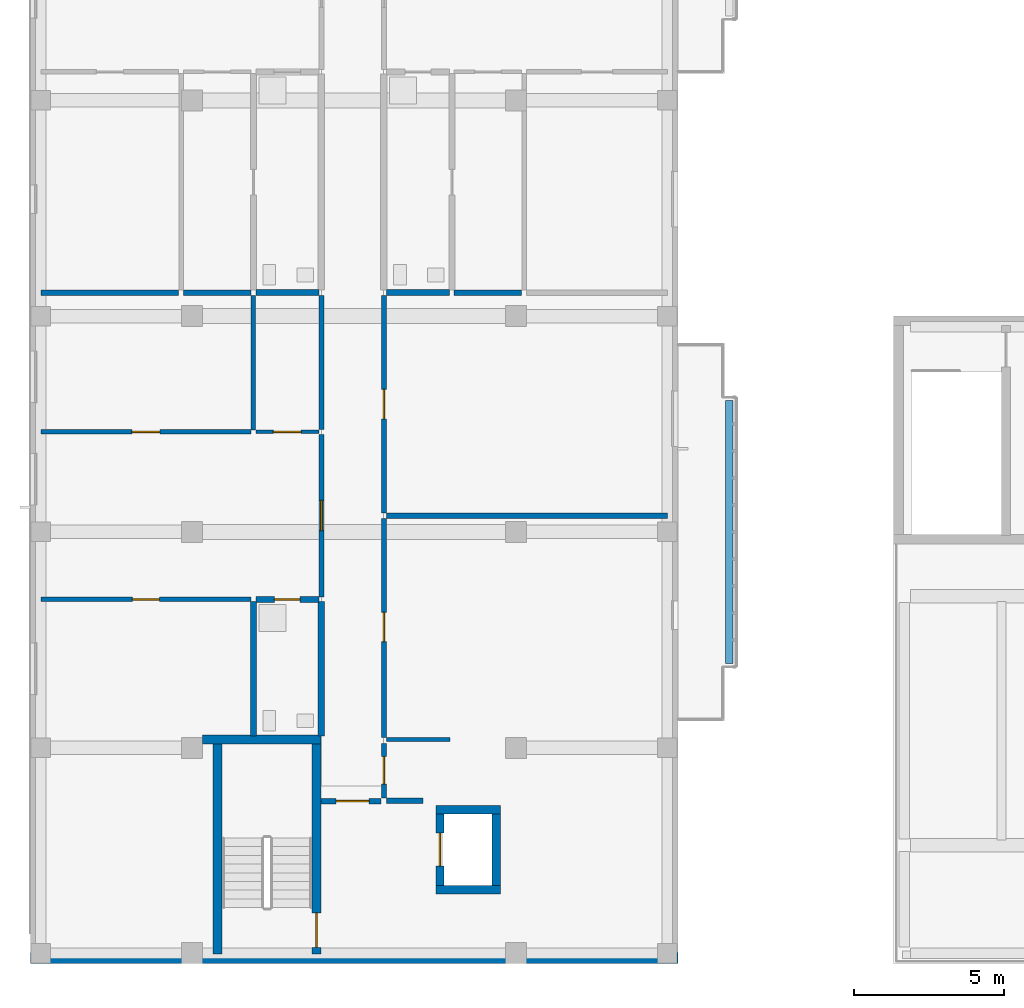
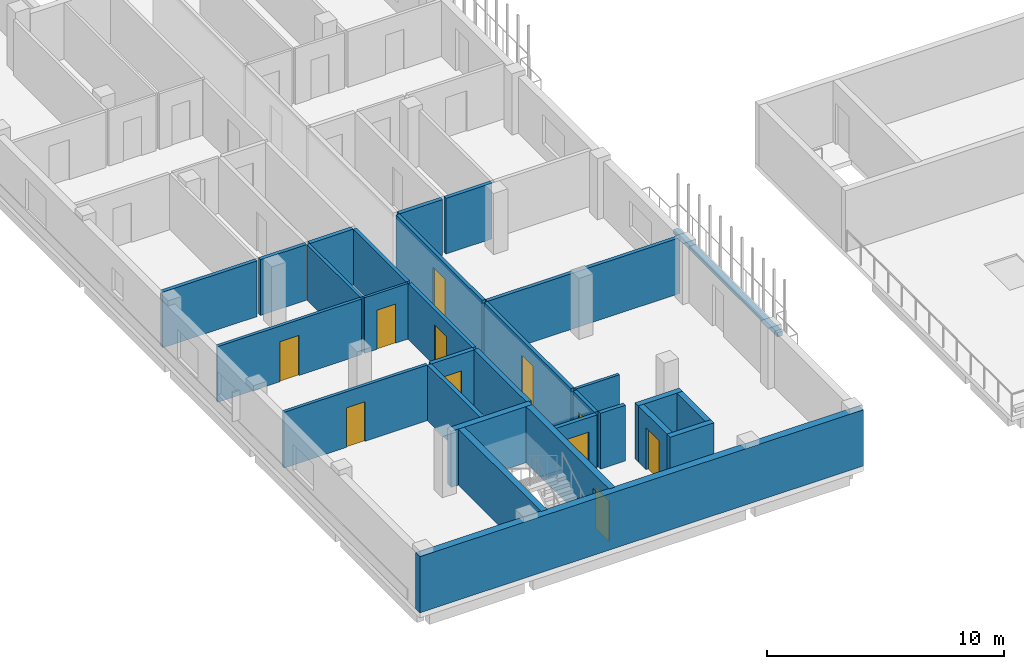
# One storey, part 25 of 56: 30 walls, 11 doors, 11 openings.
"""IFC4 building model written with IfcOpenShell, lengths in metres."""

from ifc_helpers import new_model, si_unit, derived_unit, direction, frame, frame_2d, origin, place, context, subcontext, project, spatial, rectangle, extrude, material, layer, layer_set, type_object, element, fill, save


model = new_model("IFC4")

# Units and contexts
model_context = context("Model", 3, precision=1e-05, world=origin(), true_north=direction((0.0, 1.0)))
body_context = subcontext(model_context, "Body", "Model", "MODEL_VIEW")
ifc_project = project(units=[si_unit("LENGTHUNIT", "METRE"), si_unit("AREAUNIT", "SQUARE_METRE"), si_unit("VOLUMEUNIT", "CUBIC_METRE"), si_unit("PLANEANGLEUNIT", "RADIAN"), si_unit("MASSUNIT", "GRAM", prefix="KILO"), derived_unit("THERMALTRANSMITTANCEUNIT", [(si_unit("MASSUNIT", "GRAM", prefix="KILO"), 1), (si_unit("TIMEUNIT", "SECOND"), -3), (si_unit("THERMODYNAMICTEMPERATUREUNIT", "KELVIN"), -1)])], contexts=[model_context])

# Site, building, storey
site_placement = place(None, origin())
site = spatial("IfcSite", under=ifc_project, at=site_placement, CompositionType="ELEMENT")
building_placement = place(site_placement, origin())
building = spatial("IfcBuilding", under=site, at=building_placement, Name="Ochrekiln Boulevard Commons", CompositionType="ELEMENT")
storey_placement = place(building_placement, frame((0.0, 0.0, 12.074951171875)))
storey = spatial("IfcBuildingStorey", under=building, at=storey_placement, Name="L03", CompositionType="ELEMENT", Elevation=12.074951171875)

# Wall
ifc_material_1 = material(Name="Iron-spot brown clinker brick masonry ASTM C216 Grade SW", Category="masonry")
ifc_layer_1 = layer(ifc_material_1, 0.364990234375)
ifc_layer_set_1 = layer_set([ifc_layer_1], Name="Iron-spot brown clinker brick masonry ASTM C216 Grade SW")
wall_type_1 = type_object("IfcWallType", Name="WL-EXT-IRON-365", PredefinedType="SOLIDWALL", material=ifc_layer_set_1)
wall_1_placement = place(storey_placement, frame((0.0, 0.1826171875, 0.0), z_axis=(0.0, 0.0, 1.0), x_axis=(1.0, 0.0, 0.0)))
element("IfcWall", 1, at=wall_1_placement, inside=storey, type_object=wall_type_1, Name="Block D L03 S Exterior Wall", PredefinedType="SOLIDWALL", context=body_context, shape_type="SweptSolid", body=[
    extrude(rectangle(XDim=21.60009765625, YDim=0.364990234375, at=frame_2d((10.800048828125, 0.0))), origin(), (0.0, 0.0, 1.0), 2.89013671875),
])

# Wall, opening, door
ifc_material_2 = material(Name="Moisture-resistant cementitious tile backer wall")
ifc_layer_2 = layer(ifc_material_2, 0.199951171875)
ifc_layer_set_2 = layer_set([ifc_layer_2], Name="Moisture-resistant cementitious tile backer wall")
wall_type_2 = type_object("IfcWallType", Name="WL-PLM-200", PredefinedType="PLUMBINGWALL", material=ifc_layer_set_2)
wall_2_placement = place(storey_placement, frame((7.52001953125, 12.155029296875, 0.0), z_axis=(0.0, 0.0, 1.0), x_axis=(1.0, 0.0, 0.0)))
wall_2 = element("IfcWall", 2, at=wall_2_placement, inside=storey, type_object=wall_type_2, Name="L03 Interior Wall W-PW200", PredefinedType="PLUMBINGWALL", context=body_context, shape_type="SweptSolid", body=[
    extrude(rectangle(XDim=2.10791015625, YDim=0.199951171875, at=frame_2d((1.053955078125, 0.0))), origin(), (0.0, 0.0, 1.0), 2.8701171875),
])
opening_1_placement = place(wall_2_placement, frame((0.6201171875, 0.0, 0.0)))
opening_1 = element("IfcOpeningElement", 3, at=opening_1_placement, cuts=wall_2, Name="Opening D-L03-537", PredefinedType="OPENING", context=body_context, shape_type="SweptSolid", body=[
    extrude(rectangle(XDim=0.860107421875, YDim=2.0, at=frame_2d((0.43017578125, 1.0))), frame((0.0, 0.10986328125, 0.0), z_axis=(0.0, -1.0, 0.0), x_axis=(1.0, 0.0, 0.0)), (0.0, 0.0, 1.0), 0.219970703125),
])
ifc_material_3 = material(Name="Solid core architectural oak door leaf")
door_type_1 = type_object("IfcDoorType", Name="DR-INT-BTH-086", OperationType="NOTDEFINED", PredefinedType="DOOR", material=ifc_material_3)
door_1_placement = place(opening_1_placement, frame((0.860107421875, 0.0, 0.0), z_axis=(0.0, 0.0, 1.0), x_axis=(-1.0, 0.0, 0.0)))
door_1 = element("IfcDoor", 4, at=door_1_placement, inside=storey, type_object=door_type_1, Name="L03 Interior Door to Accessible Apartment Bathroom", OperationType="SINGLE_SWING_LEFT", OverallHeight=2.0, OverallWidth=0.860107421875, PredefinedType="DOOR", context=body_context, shape_type="SweptSolid", body=[
    extrude(rectangle(XDim=0.860107421875, YDim=2.0, at=frame_2d((0.43017578125, 1.0))), frame((0.0, 0.02490234375, 0.0), z_axis=(0.0, -1.0, 0.0), x_axis=(1.0, 0.0, 0.0)), (0.0, 0.0, 1.0), 0.050048828125),
])
fill(opening_1, door_1)

# Walls
wall_3_placement = place(storey_placement, frame((7.43994140625, 7.60009765625, 0.0), z_axis=(0.0, 0.0, 1.0), x_axis=(0.0, 1.0, 0.0)))
element("IfcWall", 5, at=wall_3_placement, inside=storey, type_object=wall_type_2, Name="L03 Interior Wall W-PW200", PredefinedType="PLUMBINGWALL", context=body_context, shape_type="SweptSolid", body=[
    extrude(rectangle(XDim=4.47998046875, YDim=0.199951171875, at=frame_2d((2.239990234375, 0.0))), origin(), (0.0, 0.0, 1.0), 2.8701171875),
])
for number, where, z_axis, x_axis, name in (
    (6, (7.52001953125, 22.384033203125, 0.0), (0.0, 0.0, 1.0), (1.0, 0.0, 0.0), "L03 Interior Wall W-PW200"),
    (7, (11.8720703125, 22.384033203125, 0.0), (0.0, 0.0, 1.0), (1.0, 0.0, 0.0), "L03 Interior Wall W-PW200"),
):
    element("IfcWall", number, at=place(storey_placement, frame(where, z_axis=z_axis, x_axis=x_axis)), inside=storey, type_object=wall_type_2, Name=name, PredefinedType="PLUMBINGWALL", context=body_context, shape_type="SweptSolid", body=[
        extrude(rectangle(XDim=2.10791015625, YDim=0.199951171875, at=frame_2d((1.053955078125, 0.0))), origin(), (0.0, 0.0, 1.0), 2.8701171875),
    ])
ifc_layer_3 = layer(ifc_material_2, 0.219970703125)
ifc_layer_set_3 = layer_set([ifc_layer_3], Name="Moisture-resistant cementitious tile backer wall")
wall_type_3 = type_object("IfcWallType", Name="WL-PLM-220", PredefinedType="PLUMBINGWALL", material=ifc_layer_set_3)
wall_4_placement = place(storey_placement, frame((9.7099609375, 7.60009765625, 0.0), z_axis=(0.0, 0.0, 1.0), x_axis=(0.0, 1.0, 0.0)))
element("IfcWall", 8, at=wall_4_placement, inside=storey, type_object=wall_type_3, Name="L03 Interior Wall W-PW220", PredefinedType="PLUMBINGWALL", context=body_context, shape_type="SweptSolid", body=[
    extrude(rectangle(XDim=4.474853515625, YDim=0.219970703125, at=frame_2d((2.2373046875, 0.0))), origin(), (0.0, 0.0, 1.0), 2.8701171875),
])
ifc_material_4 = material(Name="Glazed architectural terracotta ASTM C1405", Category="masonry")
ifc_layer_4 = layer(ifc_material_4, 0.25)
ifc_layer_set_4 = layer_set([ifc_layer_4], Name="Glazed architectural terracotta ASTM C1405")
wall_type_4 = type_object("IfcWallType", Name="WL-PLN-250", PredefinedType="PARAPET", material=ifc_layer_set_4)
wall_5_placement = place(storey_placement, frame((23.320068359375, 10.010009765625, 0.0), z_axis=(0.0, 0.0, 1.0), x_axis=(0.0, 1.0, 0.0)))
element("IfcWall", 9, at=wall_5_placement, inside=storey, type_object=wall_type_4, Name="Block D L03 Balcony Terracotta Planter Box 1", PredefinedType="PARAPET", context=body_context, shape_type="SweptSolid", body=[
    extrude(rectangle(XDim=8.780029296875, YDim=0.25, at=frame_2d((4.39013671875, 0.0))), origin(), (0.0, 0.0, 1.0), 0.22998046875),
])
ifc_material_5 = material(Name="Fire-rated Type X gypsum board on steel studs", Category="steel")
ifc_layer_5 = layer(ifc_material_5, 0.139892578125)
ifc_layer_set_5 = layer_set([ifc_layer_5], Name="Fire-rated Type X gypsum board on steel studs")
wall_type_5 = type_object("IfcWallType", Name="WL-PT-ACO-140", PredefinedType="PARTITIONING", material=ifc_layer_set_5)
wall_6_placement = place(storey_placement, frame((11.8720703125, 7.47509765625, 0.0), z_axis=(0.0, 0.0, 1.0), x_axis=(1.0, 0.0, 0.0)))
element("IfcWall", 10, at=wall_6_placement, inside=storey, type_object=wall_type_5, Name="L03 Interior Wall W-PA140", PredefinedType="PARTITIONING", context=body_context, shape_type="SweptSolid", body=[
    extrude(rectangle(XDim=2.1279296875, YDim=0.139892578125, at=frame_2d((1.06396484375, 0.0))), origin(), (0.0, 0.0, 1.0), 2.8701171875),
])

# Wall, opening, door
ifc_layer_6 = layer(ifc_material_5, 0.1650390625)
ifc_layer_set_6 = layer_set([ifc_layer_6], Name="Fire-rated Type X gypsum board on steel studs")
wall_type_6 = type_object("IfcWallType", Name="WL-PT-CORR-165", PredefinedType="PARTITIONING", material=ifc_layer_set_6)
wall_7_placement = place(storey_placement, frame((11.7900390625, 5.530029296875, 0.0), z_axis=(0.0, 0.0, 1.0), x_axis=(0.0, 1.0, 0.0)))
wall_7 = element("IfcWall", 11, at=wall_7_placement, inside=storey, type_object=wall_type_6, Name="L03 Interior Wall W-PC165", PredefinedType="PARTITIONING", context=body_context, shape_type="SweptSolid", body=[
    extrude(rectangle(XDim=1.820068359375, YDim=0.1650390625, at=frame_2d((0.91015625, 0.0))), origin(), (0.0, 0.0, 1.0), 2.8701171875),
])
opening_2_placement = place(wall_7_placement, frame((0.4599609375, 0.0, 0.0)))
opening_2 = element("IfcOpeningElement", 12, at=opening_2_placement, cuts=wall_7, Name="Opening D-L03-531", PredefinedType="OPENING", context=body_context, shape_type="SweptSolid", body=[
    extrude(rectangle(XDim=0.919921875, YDim=2.0400390625, at=frame_2d((0.4599609375, 1.02001953125))), frame((0.0, 0.092529296875, 0.0), z_axis=(0.0, -1.0, 0.0), x_axis=(1.0, 0.0, 0.0)), (0.0, 0.0, 1.0), 0.18505859375),
])
ifc_material_6 = material(Name="Hollow metal fire-rated steel door assembly", Category="steel")
door_type_2 = type_object("IfcDoorType", Name="DR-SRV-90", OperationType="NOTDEFINED", PredefinedType="DOOR", material=ifc_material_6)
door_2_placement = place(opening_2_placement, frame((0.919921875, 0.0, 0.0), z_axis=(0.0, 0.0, 1.0), x_axis=(-1.0, 0.0, 0.0)))
door_2 = element("IfcDoor", 13, at=door_2_placement, inside=storey, type_object=door_type_2, Name="L03 Interior Door to Hydronic and Electrical Riser Room", OperationType="SINGLE_SWING_LEFT", OverallHeight=2.0400390625, OverallWidth=0.919921875, PredefinedType="DOOR", context=body_context, shape_type="SweptSolid", body=[
    extrude(rectangle(XDim=0.919921875, YDim=2.0400390625, at=frame_2d((0.4599609375, 1.02001953125))), frame((0.0, 0.02490234375, 0.0), z_axis=(0.0, -1.0, 0.0), x_axis=(1.0, 0.0, 0.0)), (0.0, 0.0, 1.0), 0.050048828125),
])
fill(opening_2, door_2)

wall_8_placement = place(storey_placement, frame((9.7099609375, 12.235107421875, 0.0), z_axis=(0.0, 0.0, 1.0), x_axis=(0.0, 1.0, 0.0)))
wall_8 = element("IfcWall", 14, at=wall_8_placement, inside=storey, type_object=wall_type_6, Name="L03 Interior Wall W-PC165", PredefinedType="PARTITIONING", context=body_context, shape_type="SweptSolid", body=[
    extrude(rectangle(XDim=5.423828125, YDim=0.1650390625, at=frame_2d((2.7119140625, 0.0))), origin(), (0.0, 0.0, 1.0), 2.8701171875),
])
opening_3_placement = place(wall_8_placement, frame((2.20703125, 0.0, 0.0)))
opening_3 = element("IfcOpeningElement", 15, at=opening_3_placement, cuts=wall_8, Name="Opening D-L03-532", PredefinedType="OPENING", context=body_context, shape_type="SweptSolid", body=[
    extrude(rectangle(XDim=1.010009765625, YDim=2.110107421875, at=frame_2d((0.5048828125, 1.05517578125))), frame((0.0, 0.092529296875, 0.0), z_axis=(0.0, -1.0, 0.0), x_axis=(1.0, 0.0, 0.0)), (0.0, 0.0, 1.0), 0.18505859375),
])
door_type_3 = type_object("IfcDoorType", Name="DR-INT-APT-101", OperationType="NOTDEFINED", PredefinedType="DOOR", material=ifc_material_3)
door_3_placement = place(opening_3_placement, origin())
door_3 = element("IfcDoor", 16, at=door_3_placement, inside=storey, type_object=door_type_3, Name="L03 Interior Door to Two-Bedroom Apartment Living Room", OperationType="SINGLE_SWING_RIGHT", OverallHeight=2.110107421875, OverallWidth=1.010009765625, PredefinedType="DOOR", context=body_context, shape_type="SweptSolid", body=[
    extrude(rectangle(XDim=1.010009765625, YDim=2.110107421875, at=frame_2d((0.5048828125, 1.05517578125))), frame((0.0, 0.02490234375, 0.0), z_axis=(0.0, -1.0, 0.0), x_axis=(1.0, 0.0, 0.0)), (0.0, 0.0, 1.0), 0.050048828125),
])
fill(opening_3, door_3)

# Wall
wall_9_placement = place(storey_placement, frame((9.7099609375, 17.819091796875, 0.0), z_axis=(0.0, 0.0, 1.0), x_axis=(0.0, 1.0, 0.0)))
element("IfcWall", 17, at=wall_9_placement, inside=storey, type_object=wall_type_6, Name="L03 Interior Wall W-PC165", PredefinedType="PARTITIONING", context=body_context, shape_type="SweptSolid", body=[
    extrude(rectangle(XDim=4.474853515625, YDim=0.1650390625, at=frame_2d((2.2373046875, 0.0))), origin(), (0.0, 0.0, 1.0), 2.8701171875),
])

# Wall, opening, door
wall_10_placement = place(storey_placement, frame((11.7900390625, 7.544921875, 0.0), z_axis=(0.0, 0.0, 1.0), x_axis=(0.0, 1.0, 0.0)))
wall_10 = element("IfcWall", 18, at=wall_10_placement, inside=storey, type_object=wall_type_6, Name="L03 Interior Wall W-PC165", PredefinedType="PARTITIONING", context=body_context, shape_type="SweptSolid", body=[
    extrude(rectangle(XDim=7.31201171875, YDim=0.1650390625, at=frame_2d((3.656005859375, 0.0))), origin(), (0.0, 0.0, 1.0), 2.8701171875),
])
opening_4_placement = place(wall_10_placement, frame((3.194091796875, 0.0, 0.0)))
opening_4 = element("IfcOpeningElement", 19, at=opening_4_placement, cuts=wall_10, Name="Opening D-L03-534", PredefinedType="OPENING", context=body_context, shape_type="SweptSolid", body=[
    extrude(rectangle(XDim=0.97998046875, YDim=2.080078125, at=frame_2d((0.489990234375, 1.0400390625))), frame((0.0, 0.092529296875, 0.0), z_axis=(0.0, -1.0, 0.0), x_axis=(1.0, 0.0, 0.0)), (0.0, 0.0, 1.0), 0.18505859375),
])
door_type_4 = type_object("IfcDoorType", Name="DR-APT-60", OperationType="NOTDEFINED", PredefinedType="DOOR", material=ifc_material_3)
door_4_placement = place(opening_4_placement, frame((0.97998046875, 0.0, 0.0), z_axis=(0.0, 0.0, 1.0), x_axis=(-1.0, 0.0, 0.0)))
door_4 = element("IfcDoor", 20, at=door_4_placement, inside=storey, type_object=door_type_4, Name="L03 Interior Door to Resident Study Lounge", OperationType="SINGLE_SWING_RIGHT", OverallHeight=2.080078125, OverallWidth=0.97998046875, PredefinedType="DOOR", context=body_context, shape_type="SweptSolid", body=[
    extrude(rectangle(XDim=0.97998046875, YDim=2.080078125, at=frame_2d((0.489990234375, 1.0400390625))), frame((0.0, 0.02490234375, 0.0), z_axis=(0.0, -1.0, 0.0), x_axis=(1.0, 0.0, 0.0)), (0.0, 0.0, 1.0), 0.050048828125),
])
fill(opening_4, door_4)

wall_11_placement = place(storey_placement, frame((11.7900390625, 15.037109375, 0.0), z_axis=(0.0, 0.0, 1.0), x_axis=(0.0, 1.0, 0.0)))
wall_11 = element("IfcWall", 21, at=wall_11_placement, inside=storey, type_object=wall_type_6, Name="L03 Interior Wall W-PC165", PredefinedType="PARTITIONING", context=body_context, shape_type="SweptSolid", body=[
    extrude(rectangle(XDim=7.2568359375, YDim=0.1650390625, at=frame_2d((3.62841796875, 0.0))), origin(), (0.0, 0.0, 1.0), 2.8701171875),
])
opening_5_placement = place(wall_11_placement, frame((3.138916015625, 0.0, 0.0)))
opening_5 = element("IfcOpeningElement", 22, at=opening_5_placement, cuts=wall_11, Name="Opening D-L03-535", PredefinedType="OPENING", context=body_context, shape_type="SweptSolid", body=[
    extrude(rectangle(XDim=0.97998046875, YDim=2.080078125, at=frame_2d((0.489990234375, 1.0400390625))), frame((0.0, 0.092529296875, 0.0), z_axis=(0.0, -1.0, 0.0), x_axis=(1.0, 0.0, 0.0)), (0.0, 0.0, 1.0), 0.18505859375),
])
door_5_placement = place(opening_5_placement, frame((0.97998046875, 0.0, 0.0), z_axis=(0.0, 0.0, 1.0), x_axis=(-1.0, 0.0, 0.0)))
door_5 = element("IfcDoor", 23, at=door_5_placement, inside=storey, type_object=door_type_4, Name="L03 Interior Door to Resident Reading Library", OperationType="SINGLE_SWING_LEFT", OverallHeight=2.080078125, OverallWidth=0.97998046875, PredefinedType="DOOR", context=body_context, shape_type="SweptSolid", body=[
    extrude(rectangle(XDim=0.97998046875, YDim=2.080078125, at=frame_2d((0.489990234375, 1.0400390625))), frame((0.0, 0.02490234375, 0.0), z_axis=(0.0, -1.0, 0.0), x_axis=(1.0, 0.0, 0.0)), (0.0, 0.0, 1.0), 0.050048828125),
])
fill(opening_5, door_5)

# Walls
ifc_layer_7 = layer(ifc_material_5, 0.179931640625)
ifc_layer_set_7 = layer_set([ifc_layer_7], Name="Fire-rated Type X gypsum board on steel studs")
wall_type_7 = type_object("IfcWallType", Name="WL-PT-DEM-180", PredefinedType="PARTITIONING", material=ifc_layer_set_7)
wall_12_placement = place(storey_placement, frame((0.35009765625, 22.384033203125, 0.0), z_axis=(0.0, 0.0, 1.0), x_axis=(1.0, 0.0, 0.0)))
element("IfcWall", 24, at=wall_12_placement, inside=storey, type_object=wall_type_7, Name="L03 Interior Wall W-PD180", PredefinedType="PARTITIONING", context=body_context, shape_type="SweptSolid", body=[
    extrude(rectangle(XDim=4.599853515625, YDim=0.179931640625, at=frame_2d((2.2998046875, 0.0))), origin(), (0.0, 0.0, 1.0), 2.8701171875),
])
wall_13_placement = place(storey_placement, frame((5.110107421875, 22.384033203125, 0.0), z_axis=(0.0, 0.0, 1.0), x_axis=(1.0, 0.0, 0.0)))
element("IfcWall", 25, at=wall_13_placement, inside=storey, type_object=wall_type_7, Name="L03 Interior Wall W-PD180", PredefinedType="PARTITIONING", context=body_context, shape_type="SweptSolid", body=[
    extrude(rectangle(XDim=2.25, YDim=0.179931640625, at=frame_2d((1.125, 0.0))), origin(), (0.0, 0.0, 1.0), 2.8701171875),
])
wall_14_placement = place(storey_placement, frame((11.8720703125, 14.947021484375, 0.0), z_axis=(0.0, 0.0, 1.0), x_axis=(1.0, 0.0, 0.0)))
element("IfcWall", 26, at=wall_14_placement, inside=storey, type_object=wall_type_7, Name="L03 Interior Wall W-PD180", PredefinedType="PARTITIONING", context=body_context, shape_type="SweptSolid", body=[
    extrude(rectangle(XDim=9.3779296875, YDim=0.179931640625, at=frame_2d((4.68896484375, 0.0))), origin(), (0.0, 0.0, 1.0), 2.8701171875),
])
wall_15_placement = place(storey_placement, frame((14.139892578125, 22.384033203125, 0.0), z_axis=(0.0, 0.0, 1.0), x_axis=(1.0, 0.0, 0.0)))
element("IfcWall", 27, at=wall_15_placement, inside=storey, type_object=wall_type_7, Name="L03 Interior Wall W-PD180", PredefinedType="PARTITIONING", context=body_context, shape_type="SweptSolid", body=[
    extrude(rectangle(XDim=2.25, YDim=0.179931640625, at=frame_2d((1.125, 0.0))), origin(), (0.0, 0.0, 1.0), 2.8701171875),
])
ifc_layer_8 = layer(ifc_material_5, 0.18994140625)
ifc_layer_set_8 = layer_set([ifc_layer_8], Name="Fire-rated Type X gypsum board on steel studs")
wall_type_8 = type_object("IfcWallType", Name="WL-PT-LBY-190", PredefinedType="PARTITIONING", material=ifc_layer_set_8)
wall_16_placement = place(storey_placement, frame((11.8798828125, 5.43505859375, 0.0), z_axis=(0.0, 0.0, 1.0), x_axis=(1.0, 0.0, 0.0)))
element("IfcWall", 28, at=wall_16_placement, inside=storey, type_object=wall_type_8, Name="L03 Interior Wall W-PL190", PredefinedType="PARTITIONING", context=body_context, shape_type="SweptSolid", body=[
    extrude(rectangle(XDim=1.22021484375, YDim=0.18994140625, at=frame_2d((0.610107421875, 0.0))), origin(), (0.0, 0.0, 1.0), 2.8701171875),
])

# Wall, opening, door
wall_17_placement = place(storey_placement, frame((9.699951171875, 5.419921875, 0.0), z_axis=(0.0, 0.0, 1.0), x_axis=(1.0, 0.0, 0.0)))
wall_17 = element("IfcWall", 29, at=wall_17_placement, inside=storey, type_object=wall_type_8, Name="L03 Interior Wall W-PL190", PredefinedType="PARTITIONING", context=body_context, shape_type="SweptSolid", body=[
    extrude(rectangle(XDim=2.0, YDim=0.18994140625, at=frame_2d((1.0, 0.0))), origin(), (0.0, 0.0, 1.0), 2.8701171875),
])
opening_6_placement = place(wall_17_placement, frame((0.5, 0.0, 0.0)))
opening_6 = element("IfcOpeningElement", 30, at=opening_6_placement, cuts=wall_17, Name="Opening D-L03-529", PredefinedType="OPENING", context=body_context, shape_type="SweptSolid", body=[
    extrude(rectangle(XDim=1.10009765625, YDim=2.1201171875, at=frame_2d((0.550048828125, 1.06005859375))), frame((0.0, 0.10498046875, 0.0), z_axis=(0.0, -1.0, 0.0), x_axis=(1.0, 0.0, 0.0)), (0.0, 0.0, 1.0), 0.2099609375),
])
door_type_5 = type_object("IfcDoorType", Name="DR-LOBBY-60", OperationType="NOTDEFINED", PredefinedType="DOOR", material=ifc_material_6)
door_6_placement = place(opening_6_placement, frame((1.10009765625, 0.0, 0.0), z_axis=(0.0, 0.0, 1.0), x_axis=(-1.0, 0.0, 0.0)))
door_6 = element("IfcDoor", 31, at=door_6_placement, inside=storey, type_object=door_type_5, Name="L03 Interior Door to Passenger Elevator Lobby", OperationType="SINGLE_SWING_LEFT", OverallHeight=2.1201171875, OverallWidth=1.10009765625, PredefinedType="DOOR", context=body_context, shape_type="SweptSolid", body=[
    extrude(rectangle(XDim=1.10009765625, YDim=2.1201171875, at=frame_2d((0.550048828125, 1.06005859375))), frame((0.0, 0.02490234375, 0.0), z_axis=(0.0, -1.0, 0.0), x_axis=(1.0, 0.0, 0.0)), (0.0, 0.0, 1.0), 0.050048828125),
])
fill(opening_6, door_6)

ifc_layer_9 = layer(ifc_material_5, 0.1201171875)
ifc_layer_set_9 = layer_set([ifc_layer_9], Name="Fire-rated Type X gypsum board on steel studs")
wall_type_9 = type_object("IfcWallType", Name="WL-PT-LGT-120", PredefinedType="PARTITIONING", material=ifc_layer_set_9)
wall_18_placement = place(storey_placement, frame((7.52001953125, 17.739013671875, 0.0), z_axis=(0.0, 0.0, 1.0), x_axis=(1.0, 0.0, 0.0)))
wall_18 = element("IfcWall", 32, at=wall_18_placement, inside=storey, type_object=wall_type_9, Name="L03 Interior Wall W-PL120", PredefinedType="PARTITIONING", context=body_context, shape_type="SweptSolid", body=[
    extrude(rectangle(XDim=2.10791015625, YDim=0.1201171875, at=frame_2d((1.053955078125, 0.0))), origin(), (0.0, 0.0, 1.0), 2.8701171875),
])
opening_7_placement = place(wall_18_placement, frame((0.590087890625, 0.0, 0.0)))
opening_7 = element("IfcOpeningElement", 33, at=opening_7_placement, cuts=wall_18, Name="Opening D-L03-538", PredefinedType="OPENING", context=body_context, shape_type="SweptSolid", body=[
    extrude(rectangle(XDim=0.919921875, YDim=2.02001953125, at=frame_2d((0.4599609375, 1.010009765625))), frame((0.0, 0.070068359375, 0.0), z_axis=(0.0, -1.0, 0.0), x_axis=(1.0, 0.0, 0.0)), (0.0, 0.0, 1.0), 0.14013671875),
])
door_type_6 = type_object("IfcDoorType", Name="DR-INT-KIT-092", OperationType="NOTDEFINED", PredefinedType="DOOR", material=ifc_material_3)
door_7_placement = place(opening_7_placement, origin())
door_7 = element("IfcDoor", 34, at=door_7_placement, inside=storey, type_object=door_type_6, Name="L03 Interior Door to Apartment Kitchen", OperationType="SINGLE_SWING_RIGHT", OverallHeight=2.02001953125, OverallWidth=0.919921875, PredefinedType="DOOR", context=body_context, shape_type="SweptSolid", body=[
    extrude(rectangle(XDim=0.919921875, YDim=2.02001953125, at=frame_2d((0.4599609375, 1.010009765625))), frame((0.0, 0.02490234375, 0.0), z_axis=(0.0, -1.0, 0.0), x_axis=(1.0, 0.0, 0.0)), (0.0, 0.0, 1.0), 0.050048828125),
])
fill(opening_7, door_7)

ifc_layer_10 = layer(ifc_material_5, 0.14990234375)
ifc_layer_set_10 = layer_set([ifc_layer_10], Name="Fire-rated Type X gypsum board on steel studs")
wall_type_10 = type_object("IfcWallType", Name="WL-PT-STD-150", PredefinedType="PARTITIONING", material=ifc_layer_set_10)
wall_19_placement = place(storey_placement, frame((0.35009765625, 12.155029296875, 0.0), z_axis=(0.0, 0.0, 1.0), x_axis=(1.0, 0.0, 0.0)))
wall_19 = element("IfcWall", 35, at=wall_19_placement, inside=storey, type_object=wall_type_10, Name="L03 Interior Wall W-PS150", PredefinedType="PARTITIONING", context=body_context, shape_type="SweptSolid", body=[
    extrude(rectangle(XDim=7.010009765625, YDim=0.14990234375, at=frame_2d((3.5048828125, 0.0))), origin(), (0.0, 0.0, 1.0), 2.8701171875),
])
opening_8_placement = place(wall_19_placement, frame((3.054931640625, 0.0, 0.0)))
opening_8 = element("IfcOpeningElement", 36, at=opening_8_placement, cuts=wall_19, Name="Opening D-L03-539", PredefinedType="OPENING", context=body_context, shape_type="SweptSolid", body=[
    extrude(rectangle(XDim=0.89990234375, YDim=2.0400390625, at=frame_2d((0.449951171875, 1.02001953125))), frame((0.0, 0.0849609375, 0.0), z_axis=(0.0, -1.0, 0.0), x_axis=(1.0, 0.0, 0.0)), (0.0, 0.0, 1.0), 0.169921875),
])
door_type_7 = type_object("IfcDoorType", Name="DR-INT-BED-090", OperationType="NOTDEFINED", PredefinedType="DOOR", material=ifc_material_3)
door_8_placement = place(opening_8_placement, frame((0.89990234375, 0.0, 0.0), z_axis=(0.0, 0.0, 1.0), x_axis=(-1.0, 0.0, 0.0)))
door_8 = element("IfcDoor", 37, at=door_8_placement, inside=storey, type_object=door_type_7, Name="L03 Interior Door to Primary Apartment Bedroom", OperationType="SINGLE_SWING_LEFT", OverallHeight=2.0400390625, OverallWidth=0.89990234375, PredefinedType="DOOR", context=body_context, shape_type="SweptSolid", body=[
    extrude(rectangle(XDim=0.89990234375, YDim=2.0400390625, at=frame_2d((0.449951171875, 1.02001953125))), frame((0.0, 0.02490234375, 0.0), z_axis=(0.0, -1.0, 0.0), x_axis=(1.0, 0.0, 0.0)), (0.0, 0.0, 1.0), 0.050048828125),
])
fill(opening_8, door_8)

wall_20_placement = place(storey_placement, frame((0.35009765625, 17.739013671875, 0.0), z_axis=(0.0, 0.0, 1.0), x_axis=(1.0, 0.0, 0.0)))
wall_20 = element("IfcWall", 38, at=wall_20_placement, inside=storey, type_object=wall_type_10, Name="L03 Interior Wall W-PS150", PredefinedType="PARTITIONING", context=body_context, shape_type="SweptSolid", body=[
    extrude(rectangle(XDim=7.010009765625, YDim=0.14990234375, at=frame_2d((3.5048828125, 0.0))), origin(), (0.0, 0.0, 1.0), 2.8701171875),
])
opening_9_placement = place(wall_20_placement, frame((3.034912109375, 0.0, 0.0)))
opening_9 = element("IfcOpeningElement", 39, at=opening_9_placement, cuts=wall_20, Name="Opening D-L03-540", PredefinedType="OPENING", context=body_context, shape_type="SweptSolid", body=[
    extrude(rectangle(XDim=0.93994140625, YDim=2.06005859375, at=frame_2d((0.469970703125, 1.030029296875))), frame((0.0, 0.0849609375, 0.0), z_axis=(0.0, -1.0, 0.0), x_axis=(1.0, 0.0, 0.0)), (0.0, 0.0, 1.0), 0.169921875),
])
door_type_8 = type_object("IfcDoorType", Name="DR-INT-BED-094", OperationType="NOTDEFINED", PredefinedType="DOOR", material=ifc_material_3)
door_9_placement = place(opening_9_placement, origin())
door_9 = element("IfcDoor", 40, at=door_9_placement, inside=storey, type_object=door_type_8, Name="L03 Interior Door to Secondary Apartment Bedroom", OperationType="SINGLE_SWING_RIGHT", OverallHeight=2.06005859375, OverallWidth=0.93994140625, PredefinedType="DOOR", context=body_context, shape_type="SweptSolid", body=[
    extrude(rectangle(XDim=0.93994140625, YDim=2.06005859375, at=frame_2d((0.469970703125, 1.030029296875))), frame((0.0, 0.02490234375, 0.0), z_axis=(0.0, -1.0, 0.0), x_axis=(1.0, 0.0, 0.0)), (0.0, 0.0, 1.0), 0.050048828125),
])
fill(opening_9, door_9)

# Walls
wall_21_placement = place(storey_placement, frame((7.43994140625, 17.799072265625, 0.0), z_axis=(0.0, 0.0, 1.0), x_axis=(0.0, 1.0, 0.0)))
element("IfcWall", 41, at=wall_21_placement, inside=storey, type_object=wall_type_10, Name="L03 Interior Wall W-PS150", PredefinedType="PARTITIONING", context=body_context, shape_type="SweptSolid", body=[
    extrude(rectangle(XDim=4.494873046875, YDim=0.14990234375, at=frame_2d((2.24755859375, 0.0))), origin(), (0.0, 0.0, 1.0), 2.8701171875),
])
ifc_material_7 = material(Name="Concrete C40/50", Category="concrete")
ifc_layer_11 = layer(ifc_material_7, 0.27490234375)
ifc_layer_set_11 = layer_set([ifc_layer_11], Name="Concrete C40/50")
wall_type_11 = type_object("IfcWallType", Name="WL-SH-275", PredefinedType="SHEAR", material=ifc_layer_set_11)
for number, where, z_axis, x_axis, name in (
    (42, (13.52490234375, 2.46240234375, 0.0), (0.0, 0.0, 1.0), (1.0, 0.0, 0.0), "Elevator LP-D1 L03 Hoistway Shear Wall"),
    (43, (13.52490234375, 5.137451171875, 0.0), (0.0, 0.0, 1.0), (1.0, 0.0, 0.0), "Elevator LP-D1 L03 Hoistway Shear Wall"),
):
    element("IfcWall", number, at=place(storey_placement, frame(where, z_axis=z_axis, x_axis=x_axis)), inside=storey, type_object=wall_type_11, Name=name, PredefinedType="SHEAR", context=body_context, shape_type="SweptSolid", body=[
        extrude(rectangle(XDim=2.150146484375, YDim=0.27490234375, at=frame_2d((1.0751953125, 0.0))), origin(), (0.0, 0.0, 1.0), 2.89013671875),
    ])

# Wall, opening, door
wall_22_placement = place(storey_placement, frame((13.66259765625, 2.60009765625, 0.0), z_axis=(0.0, 0.0, 1.0), x_axis=(0.0, 1.0, 0.0)))
wall_22 = element("IfcWall", 44, at=wall_22_placement, inside=storey, type_object=wall_type_11, Name="Elevator LP-D1 L03 Hoistway Shear Wall", PredefinedType="SHEAR", context=body_context, shape_type="SweptSolid", body=[
    extrude(rectangle(XDim=2.39990234375, YDim=0.27490234375, at=frame_2d((1.199951171875, 0.0))), origin(), (0.0, 0.0, 1.0), 2.89013671875),
])
opening_10_placement = place(wall_22_placement, frame((0.64990234375, 0.0, 0.0)))
opening_10 = element("IfcOpeningElement", 45, at=opening_10_placement, cuts=wall_22, Name="Opening LD-LP-D1-L03", PredefinedType="OPENING", context=body_context, shape_type="SweptSolid", body=[
    extrude(rectangle(XDim=1.10009765625, YDim=2.14990234375, at=frame_2d((0.550048828125, 1.074951171875))), frame((0.0, 0.1474609375, 0.0), z_axis=(0.0, -1.0, 0.0), x_axis=(1.0, 0.0, 0.0)), (0.0, 0.0, 1.0), 0.294921875),
])
ifc_material_8 = material(Name="Brushed stainless steel 316 elevator cab and doors", Category="steel")
door_type_9 = type_object("IfcDoorType", Name="DR-LIFT-LD90", OperationType="SLIDING_TO_LEFT", PredefinedType="DOOR", material=ifc_material_8)
door_10_placement = place(opening_10_placement, origin())
door_10 = element("IfcDoor", 46, at=door_10_placement, inside=storey, type_object=door_type_9, Name="Elevator LP-D1 L03 Sliding Landing Door LD-LP-D1-L03", OperationType="SLIDING_TO_LEFT", OverallHeight=2.14990234375, OverallWidth=1.10009765625, PredefinedType="DOOR", context=body_context, shape_type="SweptSolid", body=[
    extrude(rectangle(XDim=1.10009765625, YDim=2.14990234375, at=frame_2d((0.550048828125, 1.074951171875))), frame((0.0, 0.02490234375, 0.0), z_axis=(0.0, -1.0, 0.0), x_axis=(1.0, 0.0, 0.0)), (0.0, 0.0, 1.0), 0.050048828125),
])
fill(opening_10, door_10)

# Walls
wall_23_placement = place(storey_placement, frame((15.53759765625, 2.60009765625, 0.0), z_axis=(0.0, 0.0, 1.0), x_axis=(0.0, 1.0, 0.0)))
element("IfcWall", 47, at=wall_23_placement, inside=storey, type_object=wall_type_11, Name="Elevator LP-D1 L03 Hoistway Shear Wall", PredefinedType="SHEAR", context=body_context, shape_type="SweptSolid", body=[
    extrude(rectangle(XDim=2.39990234375, YDim=0.27490234375, at=frame_2d((1.199951171875, 0.0))), origin(), (0.0, 0.0, 1.0), 2.89013671875),
])
ifc_layer_12 = layer(ifc_material_7, 0.300048828125)
ifc_layer_set_12 = layer_set([ifc_layer_12], Name="Concrete C40/50")
wall_type_12 = type_object("IfcWallType", Name="WL-SH-300", PredefinedType="SHEAR", material=ifc_layer_set_12)
wall_24_placement = place(storey_placement, frame((5.75, 7.469970703125, 0.0), z_axis=(0.0, 0.0, 1.0), x_axis=(1.0, 0.0, 0.0)))
element("IfcWall", 48, at=wall_24_placement, inside=storey, type_object=wall_type_12, Name="Stair ST-D1 L03 Core Shear Wall N", PredefinedType="SHEAR", context=body_context, shape_type="SweptSolid", body=[
    extrude(rectangle(XDim=3.949951171875, YDim=0.300048828125, at=frame_2d((1.97509765625, 0.0))), origin(), (0.0, 0.0, 1.0), 2.89013671875),
])
wall_25_placement = place(storey_placement, frame((6.25, 0.320068359375, 0.0), z_axis=(0.0, 0.0, 1.0), x_axis=(0.0, 1.0, 0.0)))
element("IfcWall", 49, at=wall_25_placement, inside=storey, type_object=wall_type_12, Name="Stair ST-D1 L03 Core Shear Wall W", PredefinedType="SHEAR", context=body_context, shape_type="SweptSolid", body=[
    extrude(rectangle(XDim=7.0, YDim=0.300048828125, at=frame_2d((3.5, 0.0))), origin(), (0.0, 0.0, 1.0), 2.89013671875),
])

# Wall, opening, door
wall_26_placement = place(storey_placement, frame((9.550048828125, 0.320068359375, 0.0), z_axis=(0.0, 0.0, 1.0), x_axis=(0.0, 1.0, 0.0)))
wall_26 = element("IfcWall", 50, at=wall_26_placement, inside=storey, type_object=wall_type_12, Name="Stair ST-D1 L03 Core Shear Wall E", PredefinedType="SHEAR", context=body_context, shape_type="SweptSolid", body=[
    extrude(rectangle(XDim=7.0, YDim=0.300048828125, at=frame_2d((3.5, 0.0))), origin(), (0.0, 0.0, 1.0), 2.89013671875),
])
opening_11_placement = place(wall_26_placement, frame((0.22509765625, 0.0, 0.0)))
opening_11 = element("IfcOpeningElement", 51, at=opening_11_placement, cuts=wall_26, Name="Opening D-L03-ST-D1", PredefinedType="OPENING", context=body_context, shape_type="SweptSolid", body=[
    extrude(rectangle(XDim=1.14990234375, YDim=2.1201171875, at=frame_2d((0.574951171875, 1.06005859375))), frame((0.0, 0.159912109375, 0.0), z_axis=(0.0, -1.0, 0.0), x_axis=(1.0, 0.0, 0.0)), (0.0, 0.0, 1.0), 0.320068359375),
])
door_type_10 = type_object("IfcDoorType", Name="DR-STAIR-90", OperationType="NOTDEFINED", PredefinedType="DOOR", material=ifc_material_6)
door_11_placement = place(opening_11_placement, origin())
door_11 = element("IfcDoor", 52, at=door_11_placement, inside=storey, type_object=door_type_10, Name="Enclosed Exit Stair ST-D1 L03 Rated Door", OperationType="SINGLE_SWING_LEFT", OverallHeight=2.1201171875, OverallWidth=1.14990234375, PredefinedType="DOOR", context=body_context, shape_type="SweptSolid", body=[
    extrude(rectangle(XDim=1.14990234375, YDim=2.1201171875, at=frame_2d((0.574951171875, 1.06005859375))), frame((0.0, 0.02490234375, 0.0), z_axis=(0.0, -1.0, 0.0), x_axis=(1.0, 0.0, 0.0)), (0.0, 0.0, 1.0), 0.050048828125),
])
fill(opening_11, door_11)

save(model, "model.ifc")
